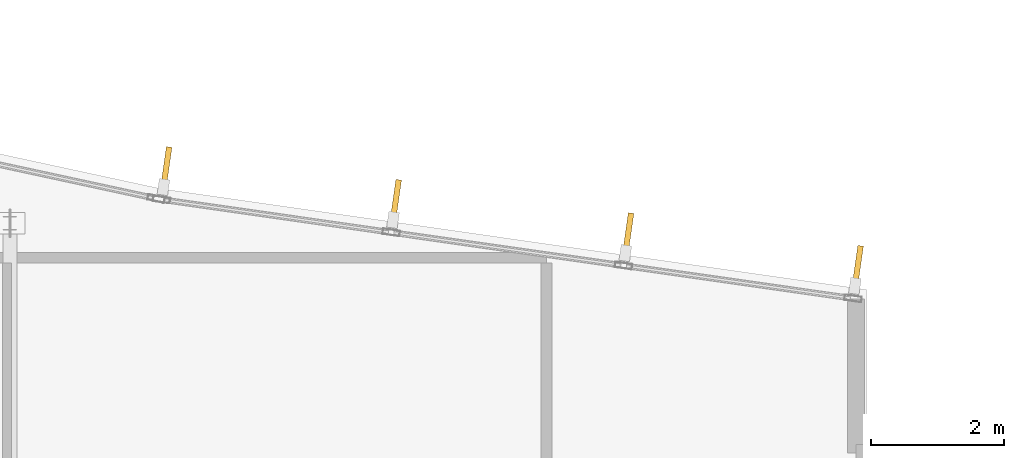
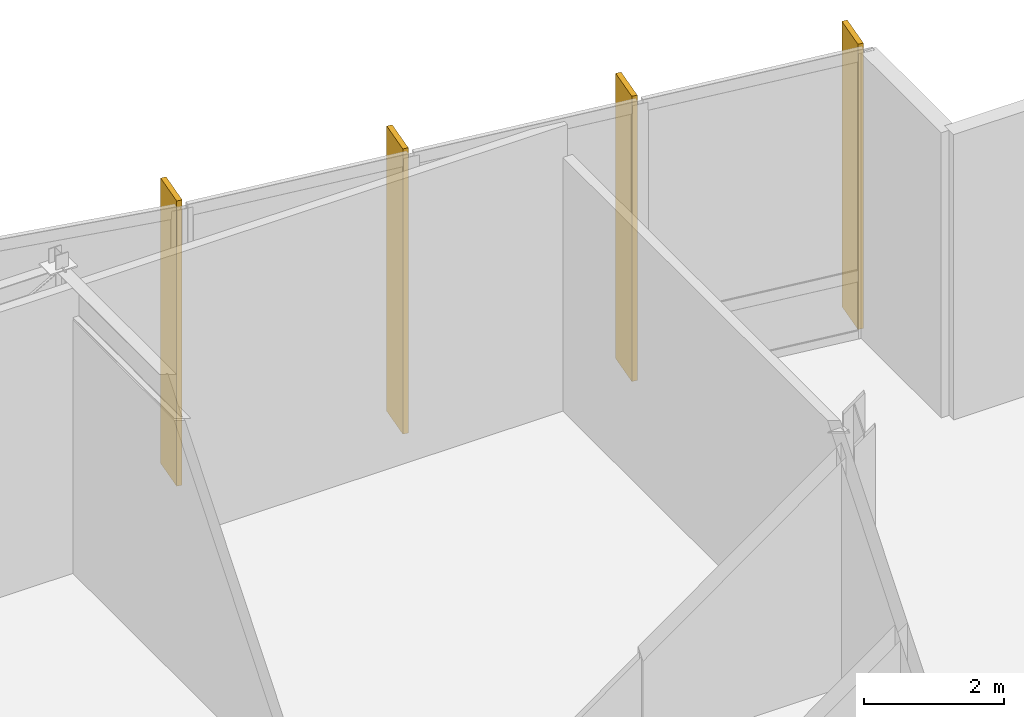
# One storey, part 13 of 14: 4 shading devices.
"""IFC4 building model written with IfcOpenShell, lengths in metres."""

from ifc_helpers import new_model, si_unit, direction, frame, origin, origin_2d, place, context, subcontext, project, spatial, rectangle, extrude, material, layer, layer_set, type_object, element, save


model = new_model("IFC4")

# Units and contexts
model_context = context("Model", 3, precision=1e-05, world=origin(), true_north=direction((0.0, 1.0)))
body_context = subcontext(model_context, "Body", "Model", "MODEL_VIEW")
ifc_project = project(units=[si_unit("LENGTHUNIT", "METRE"), si_unit("AREAUNIT", "SQUARE_METRE"), si_unit("VOLUMEUNIT", "CUBIC_METRE"), si_unit("PLANEANGLEUNIT", "RADIAN"), si_unit("MASSUNIT", "GRAM", prefix="KILO")], contexts=[model_context])

# Site, building, storey
site_placement = place(None, origin())
site = spatial("IfcSite", under=ifc_project, at=site_placement, CompositionType="ELEMENT")
building_placement = place(site_placement, origin())
building = spatial("IfcBuilding", under=site, at=building_placement, Name="Varnakote Quay Hospital", CompositionType="ELEMENT")
storey_placement = place(building_placement, frame((0.0, 0.0, 303.949951171875)))
storey = spatial("IfcBuildingStorey", under=building, at=storey_placement, Name="L75", CompositionType="ELEMENT", Elevation=303.949951171875)

# Shading devices
ifc_material = material(Name="Anodised aluminium 6063-T6 Bronze", Category="aluminium")
ifc_layer = layer(ifc_material, 0.0849609375)
ifc_layer_set = layer_set([ifc_layer], Name="Anodised aluminium 6063-T6 Bronze")
shading_device_type = type_object("IfcShadingDeviceType", Name="SHD-BRONZE-FIN-620", PredefinedType="USERDEFINED", material=ifc_layer_set)
for number, where, z_axis, x_axis, name in (
    (1, (37.96728515625, 28.15234375, 0.0), (0.0, 0.0, 1.0), (-0.141592364445, -0.989925048845, 0.0), "L75 Anodised Bronze Vertical Shading FIN"),
    (2, (34.510498046875, 28.646728515625, 0.0), (0.0, 0.0, 1.0), (-0.141592364445, -0.989925048845, 0.0), "L75 Anodised Bronze Vertical Shading FIN"),
    (3, (31.01171875, 29.147216796875, 0.0), (0.0, 0.0, 1.0), (-0.141592364445, -0.989925048845, 0.0), "L75 Anodised Bronze Vertical Shading FIN"),
    (4, (27.55517578125, 29.641357421875, 0.0), (0.0, 0.0, 1.0), (-0.141592364445, -0.989925048845, 0.0), "L75 Anodised Bronze Vertical Shading FIN"),
):
    element("IfcShadingDevice", number, at=place(storey_placement, frame(where, z_axis=z_axis, x_axis=x_axis)), inside=storey, type_object=shading_device_type, Name=name, ObjectType="FIN", PredefinedType="USERDEFINED", context=body_context, shape_type="SweptSolid", body=[
        extrude(rectangle(XDim=0.6201171875, YDim=0.0849609375, at=origin_2d()), origin(), (0.0, 0.0, 1.0), 4.989990234375),
    ])

save(model, "model.ifc")
